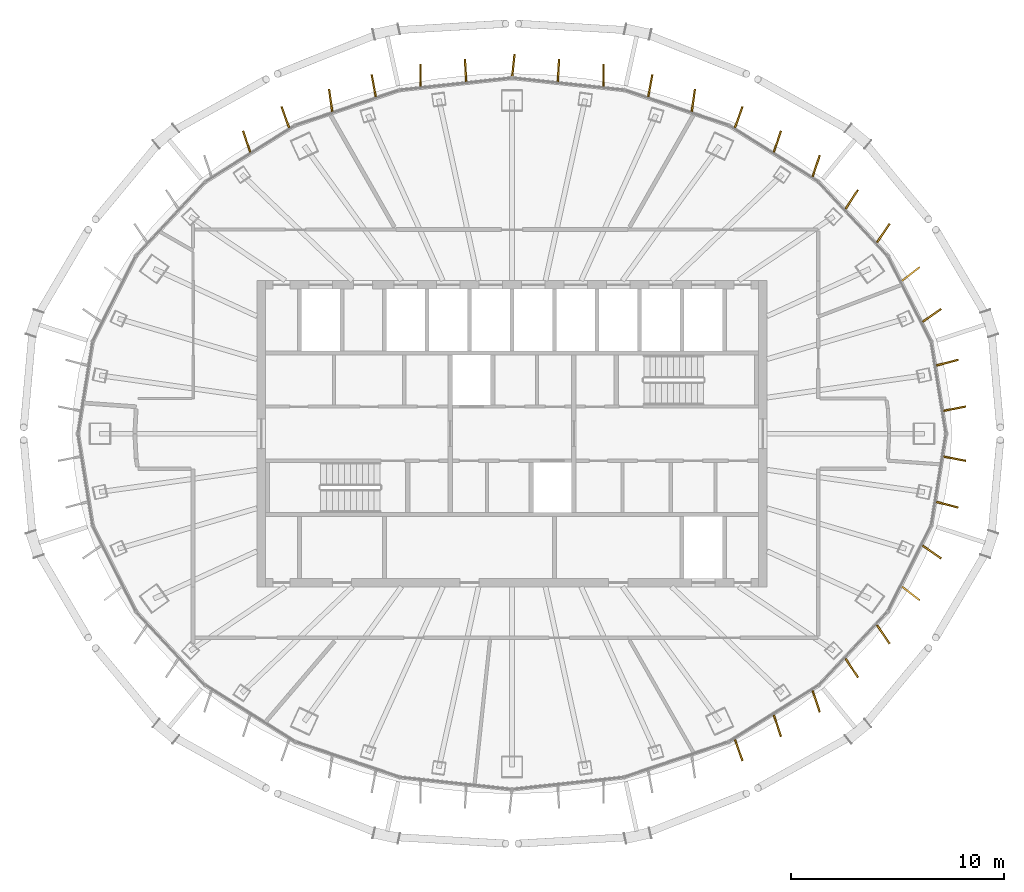
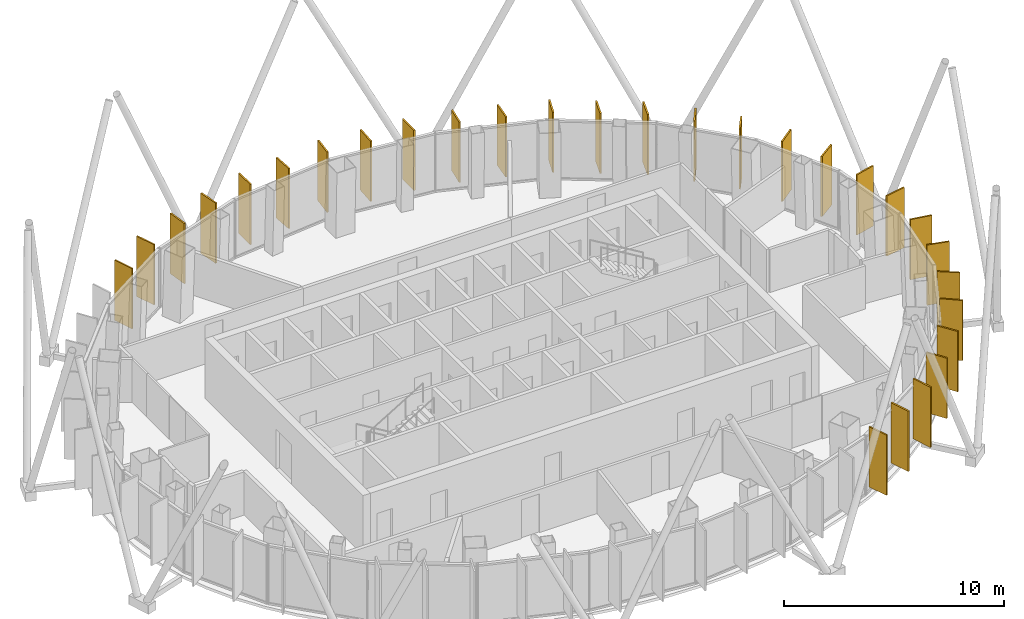
# One storey, part 18 of 18: 29 shading devices.
"""IFC4 building model written with IfcOpenShell, lengths in metres."""

import ifcopenshell
import ifcopenshell.guid

model = None  # the IFC model being written
_history = None  # IfcOwnerHistory: only IFC2X3 demands one
_inside = {}  # id of a spatial element -> (the spatial element, [elements in it])
_under = {}  # id of a project, library or spatial element -> (it, [spatial elements below it])
_declared = {}  # id of a project -> (the project, [libraries it declares])
_typed = {}  # id of a type object -> (the type object, [elements of that type])
_made_of = {}  # id of a material, layer set ... -> (it, [elements and type objects made of it])


def new_model(schema):
    """Start an empty IFC model of exactly this schema.

    Asked for "IFC4X3", IfcOpenShell would pick the latest addendum, in which some entities
    have other attributes; the version numbers below select the first issue.
    IFC2X3 requires an IfcOwnerHistory on every rooted entity: one is made here for all.
    """
    global model, _history
    if schema == "IFC4X3":
        model = ifcopenshell.file(schema_version=(4, 3, 0, 0))
    else:
        model = ifcopenshell.file(schema=schema)
    _inside.clear()
    _under.clear()
    _declared.clear()
    _typed.clear()
    _made_of.clear()
    _history = None
    if model.schema == "IFC2X3":
        org = make("IfcOrganization", Name="unknown")
        user = make(
            "IfcPersonAndOrganization",
            ThePerson=make("IfcPerson", FamilyName="unknown"),
            TheOrganization=org,
        )
        app = make(
            "IfcApplication",
            ApplicationDeveloper=org,
            Version="unknown",
            ApplicationFullName="unknown",
            ApplicationIdentifier="unknown",
        )
        _history = make(
            "IfcOwnerHistory",
            OwningUser=user,
            OwningApplication=app,
            ChangeAction="ADDED",
            CreationDate=0,
        )
    return model


def make(cls, **values):
    """One entity of the class cls with the attributes given. An attribute that is None is left unset."""
    return model.create_entity(
        cls, **{name: value for name, value in values.items() if value is not None}
    )


def rooted(cls, **values):
    """An entity with a GlobalId (a new one), such as an element, a storey or a relation."""
    return make(cls, GlobalId=ifcopenshell.guid.new(), OwnerHistory=_history, **values)


def si_unit(unit_type, name, prefix=None):
    """IfcSIUnit, for example si_unit("LENGTHUNIT", "METRE", prefix="MILLI")."""
    return make("IfcSIUnit", UnitType=unit_type, Prefix=prefix, Name=name)


def assignment(units):
    """IfcUnitAssignment: the units of a project."""
    return None if units is None else make("IfcUnitAssignment", Units=units)


def point(xyz):
    """IfcCartesianPoint."""
    return None if xyz is None else make("IfcCartesianPoint", Coordinates=xyz)


def direction(xyz):
    """IfcDirection."""
    return None if xyz is None else make("IfcDirection", DirectionRatios=xyz)


def frame(location, z_axis=None, x_axis=None):
    """IfcAxis2Placement3D, a coordinate frame: its origin and axes. An axis left out is left unset."""
    return make(
        "IfcAxis2Placement3D",
        Location=point(location),
        Axis=direction(z_axis),
        RefDirection=direction(x_axis),
    )


def frame_2d(location, x_axis=None):
    """IfcAxis2Placement2D, a coordinate frame in the plane: its origin and x axis."""
    return make(
        "IfcAxis2Placement2D", Location=point(location), RefDirection=direction(x_axis)
    )


def origin():
    """The frame at (0, 0, 0) with its axes left unset."""
    return frame((0.0, 0.0, 0.0))


def origin_2d():
    """The frame at (0, 0) in the plane with its x axis left unset."""
    return frame_2d((0.0, 0.0))


def place(relative_to, where):
    """IfcLocalPlacement: puts the frame where relative to a parent placement (None: the world)."""
    return make(
        "IfcLocalPlacement", PlacementRelTo=relative_to, RelativePlacement=where
    )


def context(
    kind, dimensions, precision=None, world=None, true_north=None, identifier=None
):
    """IfcGeometricRepresentationContext, for example the 3D "Model" context."""
    return make(
        "IfcGeometricRepresentationContext",
        ContextIdentifier=identifier,
        ContextType=kind,
        CoordinateSpaceDimension=dimensions,
        Precision=precision,
        WorldCoordinateSystem=world,
        TrueNorth=true_north,
    )


def subcontext(parent, identifier, kind, view, scale=None):
    """IfcGeometricRepresentationSubContext, for example "Body" below "Model"."""
    return make(
        "IfcGeometricRepresentationSubContext",
        ContextIdentifier=identifier,
        ContextType=kind,
        ParentContext=parent,
        TargetScale=scale,
        TargetView=view,
    )


def project(units=None, contexts=None):
    """IfcProject with its units and contexts."""
    return rooted(
        "IfcProject",
        Name="project",
        RepresentationContexts=contexts,
        UnitsInContext=assignment(units),
    )


def spatial(cls, under=None, at=None, **own):
    """A site, building, storey or space (cls), placed at a placement, below another one or the project."""
    s = rooted(cls, ObjectPlacement=at, **own)
    if under is not None:
        _under.setdefault(under.id(), (under, []))[1].append(s)
    return s


def profile(cls, at=None, kind="AREA", **sizes):
    """A parametric profile (cls). Its sizes go by their IFC names, for example OverallWidth=200.0."""
    return make(cls, ProfileType=kind, Position=at, **sizes)


def rectangle(**sizes):
    """IfcRectangleProfileDef."""
    return profile("IfcRectangleProfileDef", **sizes)


def extrude(swept, where, along, depth):
    """IfcExtrudedAreaSolid: the profile swept, set in the frame where, extruded along a direction by depth."""
    return make(
        "IfcExtrudedAreaSolid",
        SweptArea=swept,
        Position=where,
        ExtrudedDirection=direction(along),
        Depth=depth,
    )


def shape(context_of_items, identifier, shape_type, items):
    """IfcShapeRepresentation: the items that make up one representation, for example the "Body"."""
    return make(
        "IfcShapeRepresentation",
        ContextOfItems=context_of_items,
        RepresentationIdentifier=identifier,
        RepresentationType=shape_type,
        Items=items,
    )


def material(Name=None, Category=None):
    """IfcMaterial."""
    return make("IfcMaterial", Name=Name, Category=Category)


def layer(
    of_material, thickness, ventilated=None, Name=None, Category=None, Priority=None
):
    """IfcMaterialLayer: one layer of a wall or slab, of a material (None: an air gap)."""
    return make(
        "IfcMaterialLayer",
        Material=of_material,
        LayerThickness=thickness,
        IsVentilated=ventilated,
        Name=Name,
        Category=Category,
        Priority=Priority,
    )


def layer_set(layers, Name=None):
    """IfcMaterialLayerSet."""
    return make("IfcMaterialLayerSet", MaterialLayers=layers, LayerSetName=Name)


def made_of(thing, what):
    """Note that an element or type object is made of a material, layer set ...; save() writes the relation."""
    if what is not None:
        _made_of.setdefault(what.id(), (what, []))[1].append(thing)
    return thing


def type_object(cls, material=None, **own):
    """A type object (cls), such as IfcWallType, which elements share."""
    return made_of(rooted(cls, **own), material)


def element(
    cls,
    number,
    at=None,
    inside=None,
    cuts=None,
    type_object=None,
    material=None,
    context=None,
    identifier="Body",
    shape_type=None,
    held_by="IfcProductDefinitionShape",
    body=None,
    shapes=None,
    **own,
):
    """One element of the class cls, such as IfcWall. Its Tag is "e" and its number.

    at: its placement. inside: the storey or other place that contains it. cuts: it is an
    opening in that element (IfcRelVoidsElement). A single representation is given by context,
    identifier, shape_type and body (its items); several are given by shapes. held_by: the class
    of the entity that holds the representations. save() writes the other relations.
    """
    e = rooted(cls, Tag="e%d" % number, ObjectPlacement=at, **own)
    if body is not None:
        shapes = [shape(context, identifier, shape_type, body)]
    if shapes is not None:
        e.Representation = make(held_by, Representations=shapes)
    if inside is not None:
        _inside.setdefault(inside.id(), (inside, []))[1].append(e)
    if cuts is not None:
        rooted(
            "IfcRelVoidsElement", RelatingBuildingElement=cuts, RelatedOpeningElement=e
        )
    if type_object is not None:
        _typed.setdefault(type_object.id(), (type_object, []))[1].append(e)
    return made_of(e, material)


def aggregate(whole, parts):
    """IfcRelAggregates: a whole, such as a stair, and the parts it consists of."""
    return rooted("IfcRelAggregates", RelatingObject=whole, RelatedObjects=parts)


def save(model, path):
    """Write the relations noted so far, then the file.

    IfcRelAggregates (storeys below a building ...), IfcRelContainedInSpatialStructure (elements
    in a storey), IfcRelDefinesByType, IfcRelAssociatesMaterial and IfcRelDeclares: one each for
    every whole, place, type object, material and project.
    """
    for whole, parts in _under.values():
        aggregate(whole, parts)
    for where, things in _inside.values():
        rooted(
            "IfcRelContainedInSpatialStructure",
            RelatedElements=things,
            RelatingStructure=where,
        )
    for kind, things in _typed.values():
        rooted("IfcRelDefinesByType", RelatedObjects=things, RelatingType=kind)
    for what, things in _made_of.values():
        rooted("IfcRelAssociatesMaterial", RelatedObjects=things, RelatingMaterial=what)
    for by, libraries in _declared.values():
        rooted("IfcRelDeclares", RelatingContext=by, RelatedDefinitions=libraries)
    model.write(path)


model = new_model("IFC4")

# Units and contexts
model_context = context("Model", 3, precision=1e-05, world=origin(), true_north=direction((0.0, 1.0)))
body_context = subcontext(model_context, "Body", "Model", "MODEL_VIEW")
ifc_project = project(units=[si_unit("LENGTHUNIT", "METRE"), si_unit("AREAUNIT", "SQUARE_METRE"), si_unit("VOLUMEUNIT", "CUBIC_METRE"), si_unit("PLANEANGLEUNIT", "RADIAN"), si_unit("MASSUNIT", "GRAM", prefix="KILO")], contexts=[model_context])

# Site, building, storey
site_placement = place(None, origin())
site = spatial("IfcSite", under=ifc_project, at=site_placement, CompositionType="ELEMENT")
building_placement = place(site_placement, origin())
building = spatial("IfcBuilding", under=site, at=building_placement, Name="Siaravel Broadcast Tower", CompositionType="ELEMENT")
storey_placement = place(building_placement, frame((0.0, 0.0, 261.5)))
storey = spatial("IfcBuildingStorey", under=building, at=storey_placement, Name="L64", CompositionType="ELEMENT", Elevation=261.5)

# Shading devices
ifc_material = material(Name="Bronze anodised aluminium", Category="aluminium")
ifc_layer = layer(ifc_material, 0.080078125)
ifc_layer_set = layer_set([ifc_layer], Name="Bronze anodised aluminium")
shading_device_type = type_object("IfcShadingDeviceType", Name="Bronze fin zone 4", PredefinedType="USERDEFINED", material=ifc_layer_set)
for number, where, z_axis, x_axis, name in (
    (1, (20.82470703125, 1.176513671875, 0.300048828125), (0.0, 0.0, 1.0), (0.981879749, 0.189505035, 0.0), "Bronze fin L64-01"),
    (2, (20.474853515625, 3.340576171875, 0.300048828125), (0.0, 0.0, 1.0), (0.968487165, 0.249063468, 0.0), "Bronze fin L64-02"),
    (3, (19.750244140625, 5.569091796875, 0.300048828125), (0.0, 0.0, 1.0), (0.81719721, 0.576358152, 0.0), "Bronze fin L64-03"),
    (4, (18.76171875, 7.51513671875, 0.300048828125), (0.0, 0.0, 1.0), (0.790980122, 0.611841847, 0.0), "Bronze fin L64-04"),
    (5, (17.46728515625, 9.440185546875, 0.300048828125), (0.0, 0.0, 1.0), (0.561614141, 0.827399273, 0.0), "Bronze fin L64-05"),
    (6, (15.98291015625, 11.02197265625, 0.300048828125), (0.0, 0.0, 1.0), (0.546607746, 0.837388782, 0.0), "Bronze fin L64-06"),
    (7, (14.306884765625, 12.593017578125, 0.300048828125), (0.0, 0.0, 1.0), (0.311713096, 0.950176271, 0.0), "Bronze fin L64-07"),
    (8, (12.482421875, 13.7412109375, 0.300048828125), (0.0, 0.0, 1.0), (0.319773042, 0.94749417, 0.0), "Bronze fin L64-08"),
    (9, (10.663818359375, 14.88720703125, 0.300048828125), (0.0, 0.0, 1.0), (0.339173053, 0.940723998, 0.0), "Bronze fin L64-09"),
    (10, (8.529296875, 15.675048828125, 0.300048828125), (0.0, 0.0, 1.0), (0.141682207, 0.989912194, 0.0), "Bronze fin L64-10"),
    (11, (6.504150390625, 16.365966796875, 0.300048828125), (0.0, 0.0, 1.0), (0.180165502, 0.983636311, 0.0), "Bronze fin L64-11"),
    (12, (4.305908203125, 16.859375, 0.300048828125), (0.0, 0.0, 1.0), (0.006450692, 0.999979194, 0.0), "Bronze fin L64-12"),
    (13, (2.18408203125, 17.090087890625, 0.300048828125), (0.0, 0.0, 1.0), (0.055873783, 0.99843784, 0.0), "Bronze fin L64-13"),
    (14, (0.063720703125, 17.319580078125, 0.300048828125), (0.0, 0.0, 1.0), (0.107218518, 0.99423548, 0.0), "Bronze fin L64-14"),
    (15, (-2.18408203125, 17.090087890625, 0.300048828125), (0.0, 0.0, 1.0), (-0.055873783, 0.99843784, 0.0), "Bronze fin L64-15"),
    (16, (-4.305908203125, 16.859375, 0.300048828125), (0.0, 0.0, 1.0), (-0.006450692, 0.999979194, 0.0), "Bronze fin L64-16"),
    (17, (-6.504150390625, 16.365966796875, 0.300048828125), (0.0, 0.0, 1.0), (-0.180165502, 0.983636311, 0.0), "Bronze fin L64-17"),
    (18, (-8.529296875, 15.675048828125, 0.300048828125), (0.0, 0.0, 1.0), (-0.141682207, 0.989912194, 0.0), "Bronze fin L64-18"),
    (19, (-10.663818359375, 14.88720703125, 0.300048828125), (0.0, 0.0, 1.0), (-0.339173053, 0.940723998, 0.0), "Bronze fin L64-19"),
    (20, (-12.482421875, 13.7412109375, 0.300048828125), (0.0, 0.0, 1.0), (-0.319773042, 0.94749417, 0.0), "Bronze fin L64-20"),
    (21, (10.663818359375, -14.88720703125, 0.300048828125), (0.0, 0.0, 1.0), (0.339173053, -0.940723998, 0.0), "Bronze fin L64-46"),
    (22, (12.482421875, -13.7412109375, 0.300048828125), (0.0, 0.0, 1.0), (0.319773042, -0.94749417, 0.0), "Bronze fin L64-47"),
    (23, (14.306884765625, -12.593017578125, 0.300048828125), (0.0, 0.0, 1.0), (0.311713096, -0.950176271, 0.0), "Bronze fin L64-48"),
    (24, (15.98291015625, -11.02197265625, 0.300048828125), (0.0, 0.0, 1.0), (0.546607746, -0.837388782, 0.0), "Bronze fin L64-49"),
    (25, (17.46728515625, -9.440185546875, 0.300048828125), (0.0, 0.0, 1.0), (0.561614141, -0.827399273, 0.0), "Bronze fin L64-50"),
    (26, (18.76171875, -7.51513671875, 0.300048828125), (0.0, 0.0, 1.0), (0.790980122, -0.611841847, 0.0), "Bronze fin L64-51"),
    (27, (19.750244140625, -5.569091796875, 0.300048828125), (0.0, 0.0, 1.0), (0.81719721, -0.576358152, 0.0), "Bronze fin L64-52"),
    (28, (20.474853515625, -3.340576171875, 0.300048828125), (0.0, 0.0, 1.0), (0.968487165, -0.249063468, 0.0), "Bronze fin L64-53"),
    (29, (20.82470703125, -1.176513671875, 0.300048828125), (0.0, 0.0, 1.0), (0.981879749, -0.189505035, 0.0), "Bronze fin L64-54"),
):
    element("IfcShadingDevice", number, at=place(storey_placement, frame(where, z_axis=z_axis, x_axis=x_axis)), inside=storey, type_object=shading_device_type, Name=name, ObjectType="FIN", PredefinedType="USERDEFINED", context=body_context, shape_type="SweptSolid", body=[
        extrude(rectangle(XDim=1.050048828125, YDim=0.080078125, at=origin_2d()), origin(), (0.0, 0.0, 1.0), 3.35009765625),
    ])

save(model, "model.ifc")
